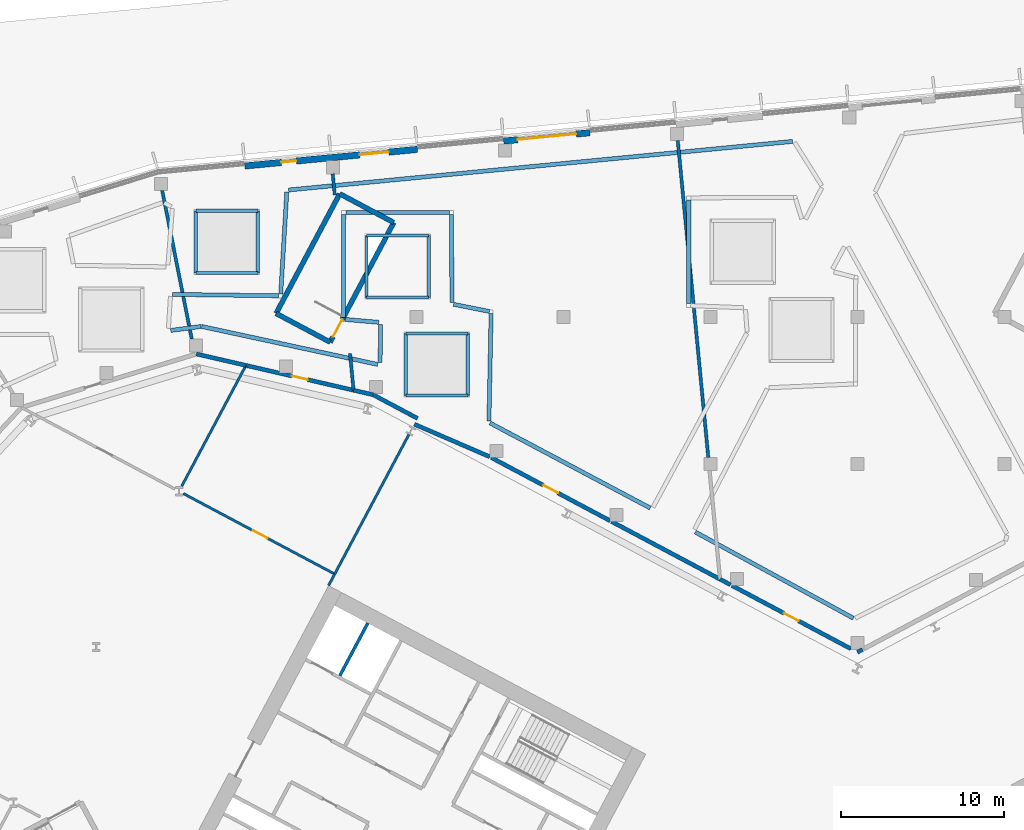
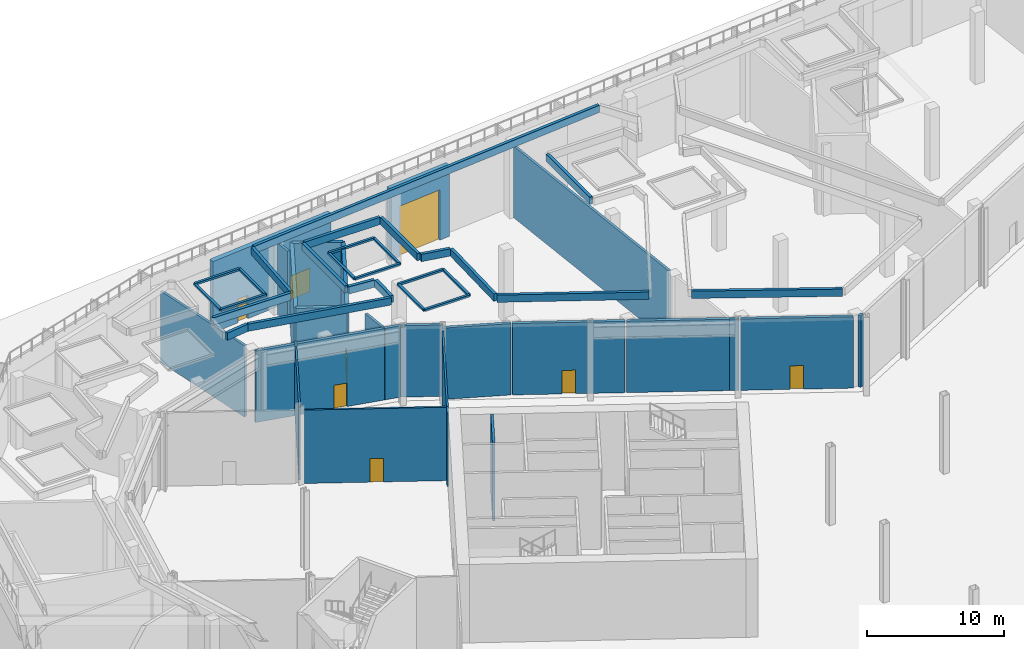
# One storey, part 23 of 57: 52 walls, 8 doors, 8 openings.
"""IFC4 building model written with IfcOpenShell, lengths in metres."""

from ifc_helpers import new_model, si_unit, direction, frame, frame_2d, origin, place, context, subcontext, project, spatial, rectangle, extrude, material, layer, layer_set, type_object, element, fill, save


model = new_model("IFC4")

# Units and contexts
model_context = context("Model", 3, precision=1e-05, world=origin(), true_north=direction((0.0, 1.0)))
body_context = subcontext(model_context, "Body", "Model", "MODEL_VIEW")
ifc_project = project(units=[si_unit("LENGTHUNIT", "METRE"), si_unit("AREAUNIT", "SQUARE_METRE"), si_unit("VOLUMEUNIT", "CUBIC_METRE"), si_unit("PLANEANGLEUNIT", "RADIAN"), si_unit("MASSUNIT", "GRAM", prefix="KILO")], contexts=[model_context])

# Site, building, storey
site_placement = place(None, origin())
site = spatial("IfcSite", under=ifc_project, at=site_placement, CompositionType="ELEMENT")
building_placement = place(site_placement, origin())
building = spatial("IfcBuilding", under=site, at=building_placement, Name="Cormorant Relay Tower", CompositionType="ELEMENT")
storey_placement = place(building_placement, origin())
storey = spatial("IfcBuildingStorey", under=building, at=storey_placement, Name="L00", CompositionType="ELEMENT", Elevation=0.0)

# Wall, opening, door
ifc_material_1 = material(Name="Concrete 40 MPa with granite cladding", Category="masonry")
ifc_layer_1 = layer(ifc_material_1, 0.39990234375)
ifc_layer_set_1 = layer_set([ifc_layer_1], Name="Base facade wall 400")
wall_type_1 = type_object("IfcWallType", Name="Base facade wall 400", PredefinedType="SOLIDWALL", material=ifc_layer_set_1)
wall_1_placement = place(storey_placement, frame((-16.380615234375, 56.28955078125, 0.0), z_axis=(0.0, 0.0, 1.0), x_axis=(-0.99538734782, -0.095937624523, 0.0)))
wall_1 = element("IfcWall", 1, at=wall_1_placement, inside=storey, type_object=wall_type_1, Name="Base facade wall", PredefinedType="SOLIDWALL", context=body_context, shape_type="SweptSolid", body=[
    extrude(rectangle(XDim=5.308349609375, YDim=0.39990234375, at=frame_2d((2.654296875, 0.0))), origin(), (0.0, 0.0, 1.0), 6.3701171875),
])
opening_1_placement = place(wall_1_placement, frame((0.85400390625, 0.0, 0.0)))
opening_1 = element("IfcOpeningElement", 2, at=opening_1_placement, cuts=wall_1, Name="Opening PD8-004", PredefinedType="OPENING", context=body_context, shape_type="SweptSolid", body=[
    extrude(rectangle(XDim=3.60009765625, YDim=4.5, at=frame_2d((1.800048828125, 2.25))), frame((0.0, 0.2099609375, 0.0), z_axis=(0.0, -1.0, 0.0), x_axis=(1.0, 0.0, 0.0)), (0.0, 0.0, 1.0), 0.419921875),
])
ifc_material_2 = material(Name="Galvanised steel roller shutter", Category="steel")
door_type_1 = type_object("IfcDoorType", Name="Door loading shutter 3600", OperationType="SLIDING_TO_LEFT", PredefinedType="DOOR", material=ifc_material_2)
door_1_placement = place(opening_1_placement, frame((3.60009765625, 0.0, 0.0), z_axis=(0.0, 0.0, 1.0), x_axis=(-1.0, 0.0, 0.0)))
door_1 = element("IfcDoor", 3, at=door_1_placement, inside=storey, type_object=door_type_1, Name="Loading dock door", OperationType="SLIDING_TO_LEFT", OverallHeight=4.5, OverallWidth=3.60009765625, PredefinedType="DOOR", context=body_context, shape_type="SweptSolid", body=[
    extrude(rectangle(XDim=3.60009765625, YDim=4.5, at=frame_2d((1.800048828125, 2.25))), frame((0.0, 0.02490234375, 0.0), z_axis=(0.0, -1.0, 0.0), x_axis=(1.0, 0.0, 0.0)), (0.0, 0.0, 1.0), 0.050048828125),
])
fill(opening_1, door_1)

# Wall, openings, doors
wall_2_placement = place(storey_placement, frame((-26.9482421875, 55.27099609375, 0.0), z_axis=(0.0, 0.0, 1.0), x_axis=(-0.995387136161, -0.09593982054, 0.0)))
wall_2 = element("IfcWall", 4, at=wall_2_placement, inside=storey, type_object=wall_type_1, Name="Base facade wall", PredefinedType="SOLIDWALL", context=body_context, shape_type="SweptSolid", body=[
    extrude(rectangle(XDim=10.61669921875, YDim=0.39990234375, at=frame_2d((5.308349609375, 0.0))), origin(), (0.0, 0.0, 1.0), 6.3701171875),
])
opening_2_placement = place(wall_2_placement, frame((1.754150390625, 0.0, 0.0)))
opening_2 = element("IfcOpeningElement", 5, at=opening_2_placement, cuts=wall_2, Name="Opening PD3-012", PredefinedType="OPENING", context=body_context, shape_type="SweptSolid", body=[
    extrude(rectangle(XDim=1.800048828125, YDim=2.10009765625, at=frame_2d((0.89990234375, 1.050048828125))), frame((0.0, 0.2099609375, 0.0), z_axis=(0.0, -1.0, 0.0), x_axis=(1.0, 0.0, 0.0)), (0.0, 0.0, 1.0), 0.419921875),
])
opening_3_placement = place(wall_2_placement, frame((7.46240234375, 0.0, 0.0)))
opening_3 = element("IfcOpeningElement", 6, at=opening_3_placement, cuts=wall_2, Name="Opening PD4-007", PredefinedType="OPENING", context=body_context, shape_type="SweptSolid", body=[
    extrude(rectangle(XDim=0.89990234375, YDim=2.10009765625, at=frame_2d((0.449951171875, 1.050048828125))), frame((0.0, 0.2099609375, 0.0), z_axis=(0.0, -1.0, 0.0), x_axis=(1.0, 0.0, 0.0)), (0.0, 0.0, 1.0), 0.419921875),
])
ifc_material_3 = material(Name="Steel door leaf", Category="steel")
door_type_2 = type_object("IfcDoorType", Name="Door double 1800", OperationType="DOUBLE_DOOR_SINGLE_SWING", PredefinedType="DOOR", material=ifc_material_3)
door_2_placement = place(opening_2_placement, frame((1.800048828125, 0.0, 0.0), z_axis=(0.0, 0.0, 1.0), x_axis=(-1.0, 0.0, 0.0)))
door_2 = element("IfcDoor", 7, at=door_2_placement, inside=storey, type_object=door_type_2, Name="Exit door", OperationType="DOUBLE_DOOR_SINGLE_SWING", OverallHeight=2.10009765625, OverallWidth=1.800048828125, PredefinedType="DOOR", context=body_context, shape_type="SweptSolid", body=[
    extrude(rectangle(XDim=1.800048828125, YDim=2.10009765625, at=frame_2d((0.89990234375, 1.050048828125))), frame((0.0, 0.02490234375, 0.0), z_axis=(0.0, -1.0, 0.0), x_axis=(1.0, 0.0, 0.0)), (0.0, 0.0, 1.0), 0.050048828125),
])
fill(opening_2, door_2)
ifc_material_4 = material(Name="Steel door leaf", Category="steel")
door_type_3 = type_object("IfcDoorType", Name="Door service 900", OperationType="SINGLE_SWING_LEFT", PredefinedType="DOOR", material=ifc_material_4)
door_3_placement = place(opening_3_placement, frame((0.89990234375, 0.0, 0.0), z_axis=(0.0, 0.0, 1.0), x_axis=(-1.0, 0.0, 0.0)))
door_3 = element("IfcDoor", 8, at=door_3_placement, inside=storey, type_object=door_type_3, Name="Service door", OperationType="SINGLE_SWING_RIGHT", OverallHeight=2.10009765625, OverallWidth=0.89990234375, PredefinedType="DOOR", context=body_context, shape_type="SweptSolid", body=[
    extrude(rectangle(XDim=0.89990234375, YDim=2.10009765625, at=frame_2d((0.449951171875, 1.050048828125))), frame((0.0, 0.02490234375, 0.0), z_axis=(0.0, -1.0, 0.0), x_axis=(1.0, 0.0, 0.0)), (0.0, 0.0, 1.0), 0.050048828125),
])
fill(opening_3, door_3)

# Walls
ifc_material_5 = material(Name="Concrete 50 MPa", Category="concrete")
ifc_layer_2 = layer(ifc_material_5, 0.199951171875)
ifc_layer_set_2 = layer_set([ifc_layer_2], Name="Core shaft wall 200")
wall_type_2 = type_object("IfcWallType", Name="Core shaft wall 200", PredefinedType="SHEAR", material=ifc_layer_set_2)
wall_3_placement = place(storey_placement, frame((-29.986083984375, 26.250244140625, 0.0), z_axis=(0.0, 0.0, 1.0), x_axis=(-0.469494272526, -0.882935517501, 0.0)))
element("IfcWall", 9, at=wall_3_placement, inside=storey, type_object=wall_type_2, Name="L00 core A shaft wall", PredefinedType="SHEAR", context=body_context, shape_type="SweptSolid", body=[
    extrude(rectangle(XDim=3.64990234375, YDim=0.199951171875, at=frame_2d((1.824951171875, 0.0))), origin(), (0.0, 0.0, 1.0), 7.0),
])
ifc_material_6 = material(Name="Concrete 30 MPa upstand", Category="concrete")
ifc_layer_3 = layer(ifc_material_6, 0.199951171875)
ifc_layer_set_3 = layer_set([ifc_layer_3], Name="Deck rooflight kerb 200")
wall_type_3 = type_object("IfcWallType", Name="Deck rooflight kerb 200", PredefinedType="SOLIDWALL", material=ifc_layer_set_3)
wall_4_placement = place(storey_placement, frame((-26.260009765625, 46.193115234375, 6.919921875), z_axis=(0.0, 0.0, 1.0), x_axis=(-1.0, 0.0, 0.0)))
element("IfcWall", 10, at=wall_4_placement, inside=storey, type_object=wall_type_3, Name="Rooflight kerb", PredefinedType="SOLIDWALL", context=body_context, shape_type="SweptSolid", body=[
    extrude(rectangle(XDim=3.800048828125, YDim=0.199951171875, at=frame_2d((1.89990234375, 0.0))), origin(), (0.0, 0.0, 1.0), 0.18017578125),
])
wall_5_placement = place(storey_placement, frame((-30.06005859375, 46.193115234375, 6.919921875), z_axis=(0.0, 0.0, 1.0), x_axis=(0.0, 1.0, 0.0)))
element("IfcWall", 11, at=wall_5_placement, inside=storey, type_object=wall_type_3, Name="Rooflight kerb", PredefinedType="SOLIDWALL", context=body_context, shape_type="SweptSolid", body=[
    extrude(rectangle(XDim=3.7998046875, YDim=0.199951171875, at=frame_2d((1.89990234375, 0.0))), origin(), (0.0, 0.0, 1.0), 0.18017578125),
])
wall_6_placement = place(storey_placement, frame((-30.06005859375, 49.992919921875, 6.919921875), z_axis=(0.0, 0.0, 1.0), x_axis=(1.0, 0.0, 0.0)))
element("IfcWall", 12, at=wall_6_placement, inside=storey, type_object=wall_type_3, Name="Rooflight kerb", PredefinedType="SOLIDWALL", context=body_context, shape_type="SweptSolid", body=[
    extrude(rectangle(XDim=3.800048828125, YDim=0.199951171875, at=frame_2d((1.89990234375, 0.0))), origin(), (0.0, 0.0, 1.0), 0.18017578125),
])
for number, where, z_axis, x_axis, name in (
    (13, (-26.260009765625, 49.992919921875, 6.919921875), (0.0, 0.0, 1.0), (0.0, -1.0, 0.0), "Rooflight kerb"),
    (14, (-23.860107421875, 40.193115234375, 6.919921875), (0.0, 0.0, 1.0), (-1.0, 0.0, 0.0), "Rooflight kerb"),
    (15, (-27.659912109375, 40.193115234375, 6.919921875), (0.0, 0.0, 1.0), (0.0, 1.0, 0.0), "Rooflight kerb"),
    (16, (-27.659912109375, 43.992919921875, 6.919921875), (0.0, 0.0, 1.0), (1.0, 0.0, 0.0), "Rooflight kerb"),
    (17, (-23.860107421875, 43.992919921875, 6.919921875), (0.0, 0.0, 1.0), (0.0, -1.0, 0.0), "Rooflight kerb"),
):
    element("IfcWall", number, at=place(storey_placement, frame(where, z_axis=z_axis, x_axis=x_axis)), inside=storey, type_object=wall_type_3, Name=name, PredefinedType="SOLIDWALL", context=body_context, shape_type="SweptSolid", body=[
        extrude(rectangle(XDim=3.7998046875, YDim=0.199951171875, at=frame_2d((1.89990234375, 0.0))), origin(), (0.0, 0.0, 1.0), 0.18017578125),
    ])
for number, where, z_axis, x_axis, name in (
    (18, (-36.721923828125, 47.697998046875, 6.919921875), (0.0, 0.0, 1.0), (-1.0, 0.0, 0.0), "Rooflight kerb"),
    (19, (-40.52197265625, 47.697998046875, 6.919921875), (0.0, 0.0, 1.0), (0.0, 1.0, 0.0), "Rooflight kerb"),
    (20, (-40.52197265625, 51.498046875, 6.919921875), (0.0, 0.0, 1.0), (1.0, 0.0, 0.0), "Rooflight kerb"),
    (21, (-36.721923828125, 51.498046875, 6.919921875), (0.0, 0.0, 1.0), (0.0, -1.0, 0.0), "Rooflight kerb"),
):
    element("IfcWall", number, at=place(storey_placement, frame(where, z_axis=z_axis, x_axis=x_axis)), inside=storey, type_object=wall_type_3, Name=name, PredefinedType="SOLIDWALL", context=body_context, shape_type="SweptSolid", body=[
        extrude(rectangle(XDim=3.800048828125, YDim=0.199951171875, at=frame_2d((1.89990234375, 0.0))), origin(), (0.0, 0.0, 1.0), 0.18017578125),
    ])
ifc_material_7 = material(Name="Concrete masonry 20 MPa", Category="masonry")
ifc_layer_4 = layer(ifc_material_7, 0.25)
ifc_layer_set_4 = layer_set([ifc_layer_4], Name="Fire separation wall 250")
wall_type_4 = type_object("IfcWallType", Name="Fire separation wall 250", PredefinedType="SOLIDWALL", material=ifc_layer_set_4)
wall_7_placement = place(storey_placement, frame((-8.40673828125, 28.933349609375, 0.0), z_axis=(0.0, 0.0, 1.0), x_axis=(0.88302789325, -0.469320508547, 0.0)))
element("IfcWall", 22, at=wall_7_placement, inside=storey, type_object=wall_type_4, Name="Partition", PredefinedType="SOLIDWALL", context=body_context, shape_type="SweptSolid", body=[
    extrude(rectangle(XDim=0.719970703125, YDim=0.25, at=frame_2d((0.35986328125, 0.0))), origin(), (0.0, 0.0, 1.0), 6.3701171875),
])

# Wall, opening, door
wall_8_placement = place(storey_placement, frame((-7.68359375, 28.549072265625, 0.0), z_axis=(0.0, 0.0, 1.0), x_axis=(0.882947828207, -0.46947112016, 0.0)))
wall_8 = element("IfcWall", 23, at=wall_8_placement, inside=storey, type_object=wall_type_4, Name="Partition", PredefinedType="SOLIDWALL", context=body_context, shape_type="SweptSolid", body=[
    extrude(rectangle(XDim=8.249267578125, YDim=0.25, at=frame_2d((4.12451171875, 0.0))), origin(), (0.0, 0.0, 1.0), 6.3701171875),
])
opening_4_placement = place(wall_8_placement, frame((3.625, 0.0, 0.0)))
opening_4 = element("IfcOpeningElement", 24, at=opening_4_placement, cuts=wall_8, Name="Opening PD1-065", PredefinedType="OPENING", context=body_context, shape_type="SweptSolid", body=[
    extrude(rectangle(XDim=1.0, YDim=2.10009765625, at=frame_2d((0.5, 1.050048828125))), frame((0.0, 0.135009765625, 0.0), z_axis=(0.0, -1.0, 0.0), x_axis=(1.0, 0.0, 0.0)), (0.0, 0.0, 1.0), 0.27001953125),
])
ifc_material_8 = material(Name="Steel door leaf", Category="steel")
door_type_4 = type_object("IfcDoorType", Name="Door single 1000", OperationType="SINGLE_SWING_LEFT", PredefinedType="DOOR", material=ifc_material_8)
door_4_placement = place(opening_4_placement, origin())
door_4 = element("IfcDoor", 25, at=door_4_placement, inside=storey, type_object=door_type_4, Name="Door", OperationType="SINGLE_SWING_RIGHT", OverallHeight=2.10009765625, OverallWidth=1.0, PredefinedType="DOOR", context=body_context, shape_type="SweptSolid", body=[
    extrude(rectangle(XDim=1.0, YDim=2.10009765625, at=frame_2d((0.5, 1.050048828125))), frame((0.0, 0.02490234375, 0.0), z_axis=(0.0, -1.0, 0.0), x_axis=(1.0, 0.0, 0.0)), (0.0, 0.0, 1.0), 0.050048828125),
])
fill(opening_4, door_4)

# Walls
wall_9_placement = place(storey_placement, frame((0.0, 24.46337890625, 0.0), z_axis=(0.0, 0.0, 1.0), x_axis=(0.882848088474, 0.469658655491, 0.0)))
element("IfcWall", 26, at=wall_9_placement, inside=storey, type_object=wall_type_4, Name="Partition", PredefinedType="SOLIDWALL", context=body_context, shape_type="SweptSolid", body=[
    extrude(rectangle(XDim=0.3544921875, YDim=0.25, at=frame_2d((0.17724609375, 0.0))), origin(), (0.0, 0.0, 1.0), 6.3701171875),
])
wall_10_placement = place(storey_placement, frame((-30.85302734375, 40.510009765625, 0.0), z_axis=(0.0, 0.0, 1.0), x_axis=(0.974387829677, -0.224874092276, 0.0)))
element("IfcWall", 27, at=wall_10_placement, inside=storey, type_object=wall_type_4, Name="Partition", PredefinedType="SOLIDWALL", context=body_context, shape_type="SweptSolid", body=[
    extrude(rectangle(XDim=1.222412109375, YDim=0.25, at=frame_2d((0.611328125, 0.0))), origin(), (0.0, 0.0, 1.0), 6.3701171875),
])
wall_11_placement = place(storey_placement, frame((-29.661865234375, 40.235107421875, 0.0), z_axis=(0.0, 0.0, 1.0), x_axis=(0.882951412921, -0.469464378224, 0.0)))
element("IfcWall", 28, at=wall_11_placement, inside=storey, type_object=wall_type_4, Name="Partition", PredefinedType="SOLIDWALL", context=body_context, shape_type="SweptSolid", body=[
    extrude(rectangle(XDim=3.0791015625, YDim=0.25, at=frame_2d((1.53955078125, 0.0))), origin(), (0.0, 0.0, 1.0), 6.3701171875),
])
wall_12_placement = place(storey_placement, frame((-27.13427734375, 38.429931640625, 0.0), z_axis=(0.0, 0.0, 1.0), x_axis=(0.918029849315, -0.396511280756, 0.0)))
element("IfcWall", 29, at=wall_12_placement, inside=storey, type_object=wall_type_4, Name="Partition", PredefinedType="SOLIDWALL", context=body_context, shape_type="SweptSolid", body=[
    extrude(rectangle(XDim=5.032958984375, YDim=0.25, at=frame_2d((2.5166015625, 0.0))), origin(), (0.0, 0.0, 1.0), 6.3701171875),
])

# Wall, opening, door
wall_13_placement = place(storey_placement, frame((-22.4267578125, 36.387939453125, 0.0), z_axis=(0.0, 0.0, 1.0), x_axis=(0.882947828207, -0.46947112016, 0.0)))
wall_13 = element("IfcWall", 30, at=wall_13_placement, inside=storey, type_object=wall_type_4, Name="Partition", PredefinedType="SOLIDWALL", context=body_context, shape_type="SweptSolid", body=[
    extrude(rectangle(XDim=8.249267578125, YDim=0.25, at=frame_2d((4.12451171875, 0.0))), origin(), (0.0, 0.0, 1.0), 6.3701171875),
])
opening_5_placement = place(wall_13_placement, frame((3.625, 0.0, 0.0)))
opening_5 = element("IfcOpeningElement", 31, at=opening_5_placement, cuts=wall_13, Name="Opening PD1-066", PredefinedType="OPENING", context=body_context, shape_type="SweptSolid", body=[
    extrude(rectangle(XDim=1.0, YDim=2.10009765625, at=frame_2d((0.5, 1.050048828125))), frame((0.0, 0.135009765625, 0.0), z_axis=(0.0, -1.0, 0.0), x_axis=(1.0, 0.0, 0.0)), (0.0, 0.0, 1.0), 0.27001953125),
])
door_5_placement = place(opening_5_placement, origin())
door_5 = element("IfcDoor", 32, at=door_5_placement, inside=storey, type_object=door_type_4, Name="Door", OperationType="SINGLE_SWING_RIGHT", OverallHeight=2.10009765625, OverallWidth=1.0, PredefinedType="DOOR", context=body_context, shape_type="SweptSolid", body=[
    extrude(rectangle(XDim=1.0, YDim=2.10009765625, at=frame_2d((0.5, 1.050048828125))), frame((0.0, 0.02490234375, 0.0), z_axis=(0.0, -1.0, 0.0), x_axis=(1.0, 0.0, 0.0)), (0.0, 0.0, 1.0), 0.050048828125),
])
fill(opening_5, door_5)

# Wall
wall_14_placement = place(storey_placement, frame((-15.05615234375, 32.468994140625, 0.0), z_axis=(0.0, 0.0, 1.0), x_axis=(0.882954463929, -0.469458639954, 0.0)))
element("IfcWall", 33, at=wall_14_placement, inside=storey, type_object=wall_type_4, Name="Partition", PredefinedType="SOLIDWALL", context=body_context, shape_type="SweptSolid", body=[
    extrude(rectangle(XDim=7.52978515625, YDim=0.25, at=frame_2d((3.764892578125, 0.0))), origin(), (0.0, 0.0, 1.0), 6.3701171875),
])

# Wall, opening, door
wall_15_placement = place(storey_placement, frame((-37.4501953125, 42.033203125, 0.0), z_axis=(0.0, 0.0, 1.0), x_axis=(0.974369307298, -0.224954335355, 0.0)))
wall_15 = element("IfcWall", 34, at=wall_15_placement, inside=storey, type_object=wall_type_4, Name="Partition", PredefinedType="SOLIDWALL", context=body_context, shape_type="SweptSolid", body=[
    extrude(rectangle(XDim=6.76904296875, YDim=0.25, at=frame_2d((3.384521484375, 0.0))), origin(), (0.0, 0.0, 1.0), 6.3701171875),
])
opening_6_placement = place(wall_15_placement, frame((2.885009765625, 0.0, 0.0)))
opening_6 = element("IfcOpeningElement", 35, at=opening_6_placement, cuts=wall_15, Name="Opening PD1-067", PredefinedType="OPENING", context=body_context, shape_type="SweptSolid", body=[
    extrude(rectangle(XDim=1.0, YDim=2.10009765625, at=frame_2d((0.5, 1.050048828125))), frame((0.0, 0.135009765625, 0.0), z_axis=(0.0, -1.0, 0.0), x_axis=(1.0, 0.0, 0.0)), (0.0, 0.0, 1.0), 0.27001953125),
])
door_6_placement = place(opening_6_placement, origin())
door_6 = element("IfcDoor", 36, at=door_6_placement, inside=storey, type_object=door_type_4, Name="Door", OperationType="SINGLE_SWING_LEFT", OverallHeight=2.10009765625, OverallWidth=1.0, PredefinedType="DOOR", context=body_context, shape_type="SweptSolid", body=[
    extrude(rectangle(XDim=1.0, YDim=2.10009765625, at=frame_2d((0.5, 1.050048828125))), frame((0.0, 0.02490234375, 0.0), z_axis=(0.0, -1.0, 0.0), x_axis=(1.0, 0.0, 0.0)), (0.0, 0.0, 1.0), 0.050048828125),
])
fill(opening_6, door_6)

# Wall
wall_16_placement = place(storey_placement, frame((-40.4873046875, 42.734130859375, 0.0), z_axis=(0.0, 0.0, 1.0), x_axis=(0.974387235192, -0.224876668186, 0.0)))
element("IfcWall", 37, at=wall_16_placement, inside=storey, type_object=wall_type_4, Name="Partition", PredefinedType="SOLIDWALL", context=body_context, shape_type="SweptSolid", body=[
    extrude(rectangle(XDim=3.116943359375, YDim=0.25, at=frame_2d((1.55859375, 0.0))), origin(), (0.0, 0.0, 1.0), 6.3701171875),
])

# Wall, opening, door
ifc_material_9 = material(Name="Gypsum board on steel stud", Category="steel")
ifc_layer_5 = layer(ifc_material_9, 0.14990234375)
ifc_layer_set_5 = layer_set([ifc_layer_5], Name="Partition 150")
wall_type_5 = type_object("IfcWallType", Name="Partition 150", PredefinedType="PARTITIONING", material=ifc_layer_set_5)
wall_17_placement = place(storey_placement, frame((-32.013427734375, 29.253662109375, 0.0), z_axis=(0.0, 0.0, 1.0), x_axis=(-0.882951328121, 0.469464537713, 0.0)))
wall_17 = element("IfcWall", 38, at=wall_17_placement, inside=storey, type_object=wall_type_5, Name="Partition", PredefinedType="PARTITIONING", context=body_context, shape_type="SweptSolid", body=[
    extrude(rectangle(XDim=10.502197265625, YDim=0.14990234375, at=frame_2d((5.2509765625, 0.0))), origin(), (0.0, 0.0, 1.0), 6.550048828125),
])
opening_7_placement = place(wall_17_placement, frame((4.673095703125, 0.0, 0.0)))
opening_7 = element("IfcOpeningElement", 39, at=opening_7_placement, cuts=wall_17, Name="Opening PD1-074", PredefinedType="OPENING", context=body_context, shape_type="SweptSolid", body=[
    extrude(rectangle(XDim=1.0, YDim=2.10009765625, at=frame_2d((0.5, 1.050048828125))), frame((0.0, 0.0849609375, 0.0), z_axis=(0.0, -1.0, 0.0), x_axis=(1.0, 0.0, 0.0)), (0.0, 0.0, 1.0), 0.169921875),
])
door_7_placement = place(opening_7_placement, frame((1.0, 0.0, 0.0), z_axis=(0.0, 0.0, 1.0), x_axis=(-1.0, 0.0, 0.0)))
door_7 = element("IfcDoor", 40, at=door_7_placement, inside=storey, type_object=door_type_4, Name="Door", OperationType="SINGLE_SWING_RIGHT", OverallHeight=2.10009765625, OverallWidth=1.0, PredefinedType="DOOR", context=body_context, shape_type="SweptSolid", body=[
    extrude(rectangle(XDim=1.0, YDim=2.10009765625, at=frame_2d((0.5, 1.050048828125))), frame((0.0, 0.02490234375, 0.0), z_axis=(0.0, -1.0, 0.0), x_axis=(1.0, 0.0, 0.0)), (0.0, 0.0, 1.0), 0.050048828125),
])
fill(opening_7, door_7)

# Walls
wall_18_placement = place(storey_placement, frame((-32.38916015625, 28.54736328125, 0.0), z_axis=(0.0, 0.0, 1.0), x_axis=(0.469582372655, 0.882888665287, 0.0)))
element("IfcWall", 41, at=wall_18_placement, inside=storey, type_object=wall_type_5, Name="Partition", PredefinedType="PARTITIONING", context=body_context, shape_type="SweptSolid", body=[
    extrude(rectangle(XDim=0.7939453125, YDim=0.14990234375, at=frame_2d((0.39697265625, 0.0))), origin(), (0.0, 0.0, 1.0), 6.550048828125),
])
wall_19_placement = place(storey_placement, frame((-37.4501953125, 42.033203125, 0.0), z_axis=(0.0, 0.0, 1.0), x_axis=(-0.46946644805, -0.882950312393, 0.0)))
element("IfcWall", 42, at=wall_19_placement, inside=storey, type_object=wall_type_5, Name="Partition", PredefinedType="PARTITIONING", context=body_context, shape_type="SweptSolid", body=[
    extrude(rectangle(XDim=8.373046875, YDim=0.14990234375, at=frame_2d((4.1865234375, 0.0))), origin(), (0.0, 0.0, 1.0), 6.550048828125),
])
wall_20_placement = place(storey_placement, frame((-32.015380859375, 29.25, 0.0), z_axis=(0.0, 0.0, 1.0), x_axis=(0.469462919124, 0.882952188721, 0.0)))
element("IfcWall", 43, at=wall_20_placement, inside=storey, type_object=wall_type_5, Name="Partition", PredefinedType="PARTITIONING", context=body_context, shape_type="SweptSolid", body=[
    extrude(rectangle(XDim=9.687255859375, YDim=0.14990234375, at=frame_2d((4.84375, 0.0))), origin(), (0.0, 0.0, 1.0), 6.550048828125),
])
ifc_material_10 = material(Name="Concrete masonry 20 MPa", Category="masonry")
ifc_layer_6 = layer(ifc_material_10, 0.199951171875)
ifc_layer_set_6 = layer_set([ifc_layer_6], Name="Plant room wall 200")
wall_type_6 = type_object("IfcWallType", Name="Plant room wall 200", PredefinedType="PARTITIONING", material=ifc_layer_set_6)
wall_21_placement = place(storey_placement, frame((-11.000732421875, 55.802001953125, 0.0), z_axis=(0.0, 0.0, 1.0), x_axis=(0.095942712783, -0.99538685739, 0.0)))
element("IfcWall", 44, at=wall_21_placement, inside=storey, type_object=wall_type_6, Name="Partition", PredefinedType="PARTITIONING", context=body_context, shape_type="SweptSolid", body=[
    extrude(rectangle(XDim=19.491943359375, YDim=0.199951171875, at=frame_2d((9.74609375, 0.0))), origin(), (0.0, 0.0, 1.0), 6.3701171875),
])
wall_22_placement = place(storey_placement, frame((-32.136474609375, 53.77001953125, 0.0), z_axis=(0.0, 0.0, 1.0), x_axis=(0.095876219409, -0.995393264269, 0.0)))
element("IfcWall", 45, at=wall_22_placement, inside=storey, type_object=wall_type_6, Name="Partition", PredefinedType="PARTITIONING", context=body_context, shape_type="SweptSolid", body=[
    extrude(rectangle(XDim=1.306396484375, YDim=0.199951171875, at=frame_2d((0.6533203125, 0.0))), origin(), (0.0, 0.0, 1.0), 6.3701171875),
])
wall_23_placement = place(storey_placement, frame((-31.0751953125, 42.757080078125, 0.0), z_axis=(0.0, 0.0, 1.0), x_axis=(0.095978377299, -0.995383419136, 0.0)))
element("IfcWall", 46, at=wall_23_placement, inside=storey, type_object=wall_type_6, Name="Partition", PredefinedType="PARTITIONING", context=body_context, shape_type="SweptSolid", body=[
    extrude(rectangle(XDim=2.25634765625, YDim=0.199951171875, at=frame_2d((1.128173828125, 0.0))), origin(), (0.0, 0.0, 1.0), 6.3701171875),
])
wall_24_placement = place(storey_placement, frame((-42.58251953125, 52.75390625, 0.0), z_axis=(0.0, 0.0, 1.0), x_axis=(0.195149741705, -0.980773459221, 0.0)))
element("IfcWall", 47, at=wall_24_placement, inside=storey, type_object=wall_type_6, Name="Partition", PredefinedType="PARTITIONING", context=body_context, shape_type="SweptSolid", body=[
    extrude(rectangle(XDim=9.2802734375, YDim=0.199951171875, at=frame_2d((4.64013671875, 0.0))), origin(), (0.0, 0.0, 1.0), 6.3701171875),
])
ifc_material_11 = material(Name="Concrete 40 MPa", Category="concrete")
ifc_layer_7 = layer(ifc_material_11, 0.25)
ifc_layer_set_7 = layer_set([ifc_layer_7], Name="Planter kerb 250")
wall_type_7 = type_object("IfcWallType", Name="Planter kerb 250", PredefinedType="STANDARD", material=ifc_layer_set_7)
wall_25_placement = place(storey_placement, frame((-0.243896484375, 26.54833984375, 7.0), z_axis=(0.0, 0.0, 1.0), x_axis=(-0.878074933352, 0.478523156617, 0.0)))
element("IfcWall", 48, at=wall_25_placement, inside=storey, type_object=wall_type_7, Name="PLANTER 08 kerb", PredefinedType="STANDARD", context=body_context, shape_type="SweptSolid", body=[
    extrude(rectangle(XDim=11.0244140625, YDim=0.25, at=frame_2d((5.51220703125, 0.0))), origin(), (0.0, 0.0, 1.0), 0.64990234375),
])
wall_26_placement = place(storey_placement, frame((-41.947998046875, 46.382080078125, 7.0), z_axis=(0.0, 0.0, 1.0), x_axis=(0.999913133855, -0.013180468303, 0.0)))
element("IfcWall", 49, at=wall_26_placement, inside=storey, type_object=wall_type_7, Name="PLANTER 11 kerb", PredefinedType="STANDARD", context=body_context, shape_type="SweptSolid", body=[
    extrude(rectangle(XDim=6.50146484375, YDim=0.25, at=frame_2d((3.250732421875, 0.0))), origin(), (0.0, 0.0, 1.0), 0.64990234375),
])
wall_27_placement = place(storey_placement, frame((-35.320556640625, 46.412353515625, 7.0), z_axis=(0.0, 0.0, 1.0), x_axis=(0.059478787754, 0.998229569692, 0.0)))
element("IfcWall", 50, at=wall_27_placement, inside=storey, type_object=wall_type_7, Name="PLANTER 11 kerb", PredefinedType="STANDARD", context=body_context, shape_type="SweptSolid", body=[
    extrude(rectangle(XDim=6.259521484375, YDim=0.25, at=frame_2d((3.1298828125, 0.0))), origin(), (0.0, 0.0, 1.0), 0.64990234375),
])
wall_28_placement = place(storey_placement, frame((-34.83544921875, 52.77783203125, 7.0), z_axis=(0.0, 0.0, 1.0), x_axis=(0.99538709373, 0.095940260764, 0.0)))
element("IfcWall", 51, at=wall_28_placement, inside=storey, type_object=wall_type_7, Name="PLANTER 11 kerb", PredefinedType="STANDARD", context=body_context, shape_type="SweptSolid", body=[
    extrude(rectangle(XDim=31.012451171875, YDim=0.25, at=frame_2d((15.50634765625, 0.0))), origin(), (0.0, 0.0, 1.0), 0.64990234375),
])
wall_29_placement = place(storey_placement, frame((-10.32666015625, 52.172607421875, 7.0), z_axis=(0.0, 0.0, 1.0), x_axis=(0.0, -1.0, 0.0)))
element("IfcWall", 52, at=wall_29_placement, inside=storey, type_object=wall_type_7, Name="PLANTER 11 kerb", PredefinedType="STANDARD", context=body_context, shape_type="SweptSolid", body=[
    extrude(rectangle(XDim=6.353271484375, YDim=0.25, at=frame_2d((3.1767578125, 0.0))), origin(), (0.0, 0.0, 1.0), 0.64990234375),
])
wall_30_placement = place(storey_placement, frame((-12.683349609375, 33.29345703125, 7.0), z_axis=(0.0, 0.0, 1.0), x_axis=(-0.883307066118, 0.468794866596, 0.0)))
element("IfcWall", 53, at=wall_30_placement, inside=storey, type_object=wall_type_7, Name="PLANTER 11 kerb", PredefinedType="STANDARD", context=body_context, shape_type="SweptSolid", body=[
    extrude(rectangle(XDim=11.113525390625, YDim=0.25, at=frame_2d((5.556640625, 0.0))), origin(), (0.0, 0.0, 1.0), 0.64990234375),
])
wall_31_placement = place(storey_placement, frame((-22.56640625, 38.6162109375, 7.0), z_axis=(0.0, 0.0, 1.0), x_axis=(0.019913124618, 0.999801714075, 0.0)))
element("IfcWall", 54, at=wall_31_placement, inside=storey, type_object=wall_type_7, Name="PLANTER 11 kerb", PredefinedType="STANDARD", context=body_context, shape_type="SweptSolid", body=[
    extrude(rectangle(XDim=6.595947265625, YDim=0.25, at=frame_2d((3.2978515625, 0.0))), origin(), (0.0, 0.0, 1.0), 0.64990234375),
])
wall_32_placement = place(storey_placement, frame((-22.535400390625, 45.3359375, 7.0), z_axis=(0.0, 0.0, 1.0), x_axis=(-0.980605780696, 0.195990568309, 0.0)))
element("IfcWall", 55, at=wall_32_placement, inside=storey, type_object=wall_type_7, Name="PLANTER 11 kerb", PredefinedType="STANDARD", context=body_context, shape_type="SweptSolid", body=[
    extrude(rectangle(XDim=2.243408203125, YDim=0.25, at=frame_2d((1.12158203125, 0.0))), origin(), (0.0, 0.0, 1.0), 0.64990234375),
])
wall_33_placement = place(storey_placement, frame((-24.8359375, 45.897705078125, 7.0), z_axis=(0.0, 0.0, 1.0), x_axis=(-0.004180641462, 0.99999126108, 0.0)))
element("IfcWall", 56, at=wall_33_placement, inside=storey, type_object=wall_type_7, Name="PLANTER 11 kerb", PredefinedType="STANDARD", context=body_context, shape_type="SweptSolid", body=[
    extrude(rectangle(XDim=5.37255859375, YDim=0.25, at=frame_2d((2.686279296875, 0.0))), origin(), (0.0, 0.0, 1.0), 0.64990234375),
])
wall_34_placement = place(storey_placement, frame((-24.978271484375, 51.394775390625, 7.0), z_axis=(0.0, 0.0, 1.0), x_axis=(-1.0, 0.0, 0.0)))
element("IfcWall", 57, at=wall_34_placement, inside=storey, type_object=wall_type_7, Name="PLANTER 11 kerb", PredefinedType="STANDARD", context=body_context, shape_type="SweptSolid", body=[
    extrude(rectangle(XDim=6.3583984375, YDim=0.25, at=frame_2d((3.17919921875, 0.0))), origin(), (0.0, 0.0, 1.0), 0.64990234375),
])
wall_35_placement = place(storey_placement, frame((-31.461669921875, 51.270263671875, 7.0), z_axis=(0.0, 0.0, 1.0), x_axis=(-0.00372176999, -0.99999307419, 0.0)))
element("IfcWall", 58, at=wall_35_placement, inside=storey, type_object=wall_type_7, Name="PLANTER 11 kerb", PredefinedType="STANDARD", context=body_context, shape_type="SweptSolid", body=[
    extrude(rectangle(XDim=6.29736328125, YDim=0.25, at=frame_2d((3.148681640625, 0.0))), origin(), (0.0, 0.0, 1.0), 0.64990234375),
])
wall_36_placement = place(storey_placement, frame((-31.37060546875, 44.847900390625, 7.0), z_axis=(0.0, 0.0, 1.0), x_axis=(0.996308791214, -0.085841671408, 0.0)))
element("IfcWall", 59, at=wall_36_placement, inside=storey, type_object=wall_type_7, Name="PLANTER 11 kerb", PredefinedType="STANDARD", context=body_context, shape_type="SweptSolid", body=[
    extrude(rectangle(XDim=2.05908203125, YDim=0.25, at=frame_2d((1.029541015625, 0.0))), origin(), (0.0, 0.0, 1.0), 0.64990234375),
])
wall_37_placement = place(storey_placement, frame((-29.204833984375, 44.545166015625, 7.0), z_axis=(0.0, 0.0, 1.0), x_axis=(-0.011825442041, -0.999930077016, 0.0)))
element("IfcWall", 60, at=wall_37_placement, inside=storey, type_object=wall_type_7, Name="PLANTER 11 kerb", PredefinedType="STANDARD", context=body_context, shape_type="SweptSolid", body=[
    extrude(rectangle(XDim=2.3330078125, YDim=0.25, at=frame_2d((1.16650390625, 0.0))), origin(), (0.0, 0.0, 1.0), 0.64990234375),
])
wall_38_placement = place(storey_placement, frame((-29.3837890625, 42.091552734375, 7.0), z_axis=(0.0, 0.0, 1.0), x_axis=(-0.977492846538, 0.210968563929, 0.0)))
element("IfcWall", 61, at=wall_38_placement, inside=storey, type_object=wall_type_7, Name="PLANTER 11 kerb", PredefinedType="STANDARD", context=body_context, shape_type="SweptSolid", body=[
    extrude(rectangle(XDim=11.02490234375, YDim=0.25, at=frame_2d((5.512451171875, 0.0))), origin(), (0.0, 0.0, 1.0), 0.64990234375),
])
wall_39_placement = place(storey_placement, frame((-40.20361328125, 44.419189453125, 7.0), z_axis=(0.0, 0.0, 1.0), x_axis=(-0.991314288345, -0.131514188293, 0.0)))
element("IfcWall", 62, at=wall_39_placement, inside=storey, type_object=wall_type_7, Name="PLANTER 11 kerb", PredefinedType="STANDARD", context=body_context, shape_type="SweptSolid", body=[
    extrude(rectangle(XDim=1.871337890625, YDim=0.25, at=frame_2d((0.935546875, 0.0))), origin(), (0.0, 0.0, 1.0), 0.64990234375),
])
ifc_material_12 = material(Name="Concrete 50 MPa", Category="concrete")
ifc_layer_8 = layer(ifc_material_12, 0.300048828125)
ifc_layer_set_8 = layer_set([ifc_layer_8], Name="Remote stair wall 300")
wall_type_8 = type_object("IfcWallType", Name="Remote stair wall 300", PredefinedType="SHEAR", material=ifc_layer_set_8)
wall_40_placement = place(storey_placement, frame((-31.707275390625, 52.54443359375, 0.0), z_axis=(0.0, 0.0, 1.0), x_axis=(0.882948761726, -0.46946936446, 0.0)))
element("IfcWall", 63, at=wall_40_placement, inside=storey, type_object=wall_type_8, Name="L00 exit stair RN2 wall", PredefinedType="SHEAR", context=body_context, shape_type="SweptSolid", body=[
    extrude(rectangle(XDim=3.75, YDim=0.300048828125, at=frame_2d((1.875, 0.0))), origin(), (0.0, 0.0, 1.0), 7.0),
])

# Wall, opening, door
wall_41_placement = place(storey_placement, frame((-28.396240234375, 50.783935546875, 0.0), z_axis=(0.0, 0.0, 1.0), x_axis=(-0.469464178475, -0.882951519127, 0.0)))
wall_41 = element("IfcWall", 64, at=wall_41_placement, inside=storey, type_object=wall_type_8, Name="L00 exit stair RN2 wall", PredefinedType="SHEAR", context=body_context, shape_type="SweptSolid", body=[
    extrude(rectangle(XDim=8.2998046875, YDim=0.300048828125, at=frame_2d((4.14990234375, 0.0))), origin(), (0.0, 0.0, 1.0), 7.0),
])
opening_8_placement = place(wall_41_placement, frame((6.72509765625, 0.0, 0.0)))
opening_8 = element("IfcOpeningElement", 65, at=opening_8_placement, cuts=wall_41, Name="Opening CDB-013", PredefinedType="OPENING", context=body_context, shape_type="SweptSolid", body=[
    extrude(rectangle(XDim=1.199951171875, YDim=2.10009765625, at=frame_2d((0.60009765625, 1.050048828125))), frame((0.0, 0.159912109375, 0.0), z_axis=(0.0, -1.0, 0.0), x_axis=(1.0, 0.0, 0.0)), (0.0, 0.0, 1.0), 0.320068359375),
])
ifc_material_13 = material(Name="Steel fire door", Category="steel")
door_type_5 = type_object("IfcDoorType", Name="Core stair door 1200x2100", OperationType="SINGLE_SWING_LEFT", PredefinedType="DOOR", material=ifc_material_13)
door_8_placement = place(opening_8_placement, origin())
door_8 = element("IfcDoor", 66, at=door_8_placement, inside=storey, type_object=door_type_5, Name="Exit stair RN2 door", OperationType="SINGLE_SWING_RIGHT", OverallHeight=2.10009765625, OverallWidth=1.199951171875, PredefinedType="DOOR", context=body_context, shape_type="SweptSolid", body=[
    extrude(rectangle(XDim=1.199951171875, YDim=2.10009765625, at=frame_2d((0.60009765625, 1.050048828125))), frame((0.0, 0.02490234375, 0.0), z_axis=(0.0, -1.0, 0.0), x_axis=(1.0, 0.0, 0.0)), (0.0, 0.0, 1.0), 0.050048828125),
])
fill(opening_8, door_8)

# Walls
wall_42_placement = place(storey_placement, frame((-32.292724609375, 43.45556640625, 0.0), z_axis=(0.0, 0.0, 1.0), x_axis=(-0.882948761726, 0.46946936446, 0.0)))
element("IfcWall", 67, at=wall_42_placement, inside=storey, type_object=wall_type_8, Name="L00 exit stair RN2 wall", PredefinedType="SHEAR", context=body_context, shape_type="SweptSolid", body=[
    extrude(rectangle(XDim=3.75, YDim=0.300048828125, at=frame_2d((1.875, 0.0))), origin(), (0.0, 0.0, 1.0), 7.0),
])
wall_43_placement = place(storey_placement, frame((-35.603759765625, 45.216064453125, 0.0), z_axis=(0.0, 0.0, 1.0), x_axis=(0.469464178475, 0.882951519127, 0.0)))
element("IfcWall", 68, at=wall_43_placement, inside=storey, type_object=wall_type_8, Name="L00 exit stair RN2 wall", PredefinedType="SHEAR", context=body_context, shape_type="SweptSolid", body=[
    extrude(rectangle(XDim=8.2998046875, YDim=0.300048828125, at=frame_2d((4.14990234375, 0.0))), origin(), (0.0, 0.0, 1.0), 7.0),
])

save(model, "model.ifc")
